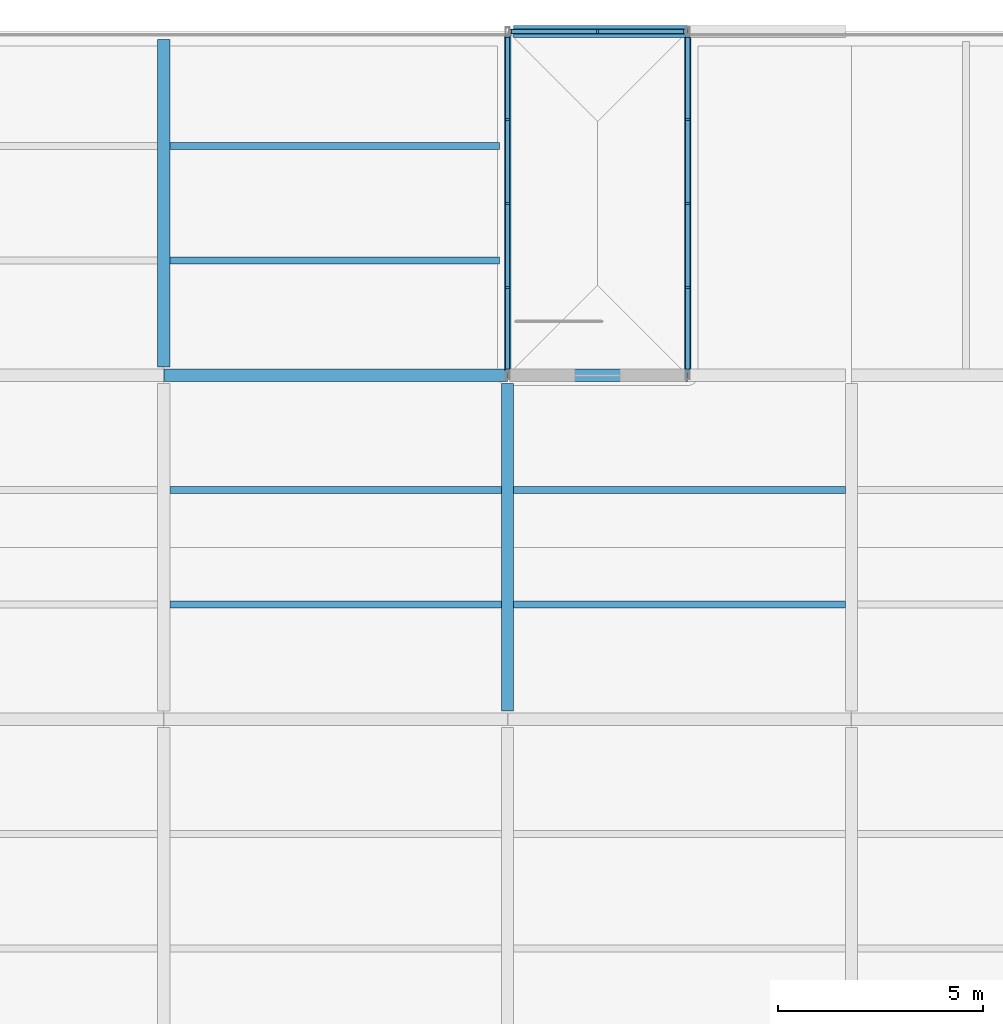
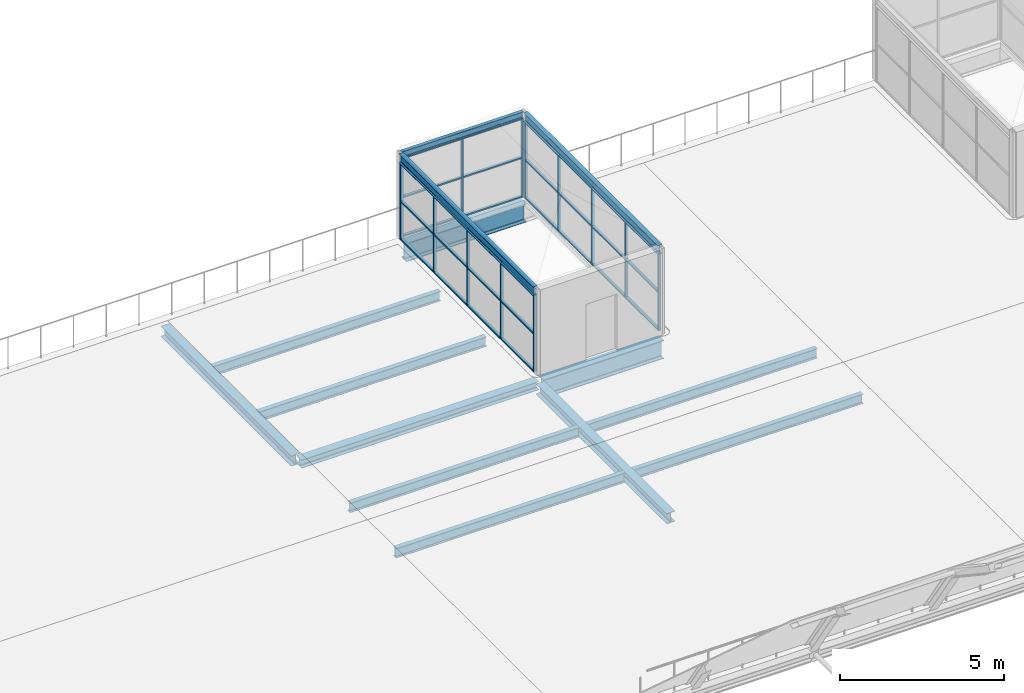
# One storey, part 21 of 58: 43 members, 14 beams, 3 elements without a shape of their own.
"""IFC4 building model written with IfcOpenShell, lengths in metres."""

import ifcopenshell
import ifcopenshell.guid

model = None  # the IFC model being written
_history = None  # IfcOwnerHistory: only IFC2X3 demands one
_inside = {}  # id of a spatial element -> (the spatial element, [elements in it])
_under = {}  # id of a project, library or spatial element -> (it, [spatial elements below it])
_declared = {}  # id of a project -> (the project, [libraries it declares])
_typed = {}  # id of a type object -> (the type object, [elements of that type])
_made_of = {}  # id of a material, layer set ... -> (it, [elements and type objects made of it])


def new_model(schema):
    """Start an empty IFC model of exactly this schema.

    Asked for "IFC4X3", IfcOpenShell would pick the latest addendum, in which some entities
    have other attributes; the version numbers below select the first issue.
    IFC2X3 requires an IfcOwnerHistory on every rooted entity: one is made here for all.
    """
    global model, _history
    if schema == "IFC4X3":
        model = ifcopenshell.file(schema_version=(4, 3, 0, 0))
    else:
        model = ifcopenshell.file(schema=schema)
    _inside.clear()
    _under.clear()
    _declared.clear()
    _typed.clear()
    _made_of.clear()
    _history = None
    if model.schema == "IFC2X3":
        org = make("IfcOrganization", Name="unknown")
        user = make(
            "IfcPersonAndOrganization",
            ThePerson=make("IfcPerson", FamilyName="unknown"),
            TheOrganization=org,
        )
        app = make(
            "IfcApplication",
            ApplicationDeveloper=org,
            Version="unknown",
            ApplicationFullName="unknown",
            ApplicationIdentifier="unknown",
        )
        _history = make(
            "IfcOwnerHistory",
            OwningUser=user,
            OwningApplication=app,
            ChangeAction="ADDED",
            CreationDate=0,
        )
    return model


def make(cls, **values):
    """One entity of the class cls with the attributes given. An attribute that is None is left unset."""
    return model.create_entity(
        cls, **{name: value for name, value in values.items() if value is not None}
    )


def rooted(cls, **values):
    """An entity with a GlobalId (a new one), such as an element, a storey or a relation."""
    return make(cls, GlobalId=ifcopenshell.guid.new(), OwnerHistory=_history, **values)


def si_unit(unit_type, name, prefix=None):
    """IfcSIUnit, for example si_unit("LENGTHUNIT", "METRE", prefix="MILLI")."""
    return make("IfcSIUnit", UnitType=unit_type, Prefix=prefix, Name=name)


def assignment(units):
    """IfcUnitAssignment: the units of a project."""
    return None if units is None else make("IfcUnitAssignment", Units=units)


def point(xyz):
    """IfcCartesianPoint."""
    return None if xyz is None else make("IfcCartesianPoint", Coordinates=xyz)


def direction(xyz):
    """IfcDirection."""
    return None if xyz is None else make("IfcDirection", DirectionRatios=xyz)


def frame(location, z_axis=None, x_axis=None):
    """IfcAxis2Placement3D, a coordinate frame: its origin and axes. An axis left out is left unset."""
    return make(
        "IfcAxis2Placement3D",
        Location=point(location),
        Axis=direction(z_axis),
        RefDirection=direction(x_axis),
    )


def frame_2d(location, x_axis=None):
    """IfcAxis2Placement2D, a coordinate frame in the plane: its origin and x axis."""
    return make(
        "IfcAxis2Placement2D", Location=point(location), RefDirection=direction(x_axis)
    )


def origin():
    """The frame at (0, 0, 0) with its axes left unset."""
    return frame((0.0, 0.0, 0.0))


def origin_2d():
    """The frame at (0, 0) in the plane with its x axis left unset."""
    return frame_2d((0.0, 0.0))


def place(relative_to, where):
    """IfcLocalPlacement: puts the frame where relative to a parent placement (None: the world)."""
    return make(
        "IfcLocalPlacement", PlacementRelTo=relative_to, RelativePlacement=where
    )


def context(
    kind, dimensions, precision=None, world=None, true_north=None, identifier=None
):
    """IfcGeometricRepresentationContext, for example the 3D "Model" context."""
    return make(
        "IfcGeometricRepresentationContext",
        ContextIdentifier=identifier,
        ContextType=kind,
        CoordinateSpaceDimension=dimensions,
        Precision=precision,
        WorldCoordinateSystem=world,
        TrueNorth=true_north,
    )


def subcontext(parent, identifier, kind, view, scale=None):
    """IfcGeometricRepresentationSubContext, for example "Body" below "Model"."""
    return make(
        "IfcGeometricRepresentationSubContext",
        ContextIdentifier=identifier,
        ContextType=kind,
        ParentContext=parent,
        TargetScale=scale,
        TargetView=view,
    )


def project(units=None, contexts=None):
    """IfcProject with its units and contexts."""
    return rooted(
        "IfcProject",
        Name="project",
        RepresentationContexts=contexts,
        UnitsInContext=assignment(units),
    )


def spatial(cls, under=None, at=None, **own):
    """A site, building, storey or space (cls), placed at a placement, below another one or the project."""
    s = rooted(cls, ObjectPlacement=at, **own)
    if under is not None:
        _under.setdefault(under.id(), (under, []))[1].append(s)
    return s


def profile(cls, at=None, kind="AREA", **sizes):
    """A parametric profile (cls). Its sizes go by their IFC names, for example OverallWidth=200.0."""
    return make(cls, ProfileType=kind, Position=at, **sizes)


def rectangle(**sizes):
    """IfcRectangleProfileDef."""
    return profile("IfcRectangleProfileDef", **sizes)


def i_section(**sizes):
    """IfcIShapeProfileDef."""
    return profile("IfcIShapeProfileDef", **sizes)


def extrude(swept, where, along, depth):
    """IfcExtrudedAreaSolid: the profile swept, set in the frame where, extruded along a direction by depth."""
    return make(
        "IfcExtrudedAreaSolid",
        SweptArea=swept,
        Position=where,
        ExtrudedDirection=direction(along),
        Depth=depth,
    )


def shape(context_of_items, identifier, shape_type, items):
    """IfcShapeRepresentation: the items that make up one representation, for example the "Body"."""
    return make(
        "IfcShapeRepresentation",
        ContextOfItems=context_of_items,
        RepresentationIdentifier=identifier,
        RepresentationType=shape_type,
        Items=items,
    )


def material(Name=None, Category=None):
    """IfcMaterial."""
    return make("IfcMaterial", Name=Name, Category=Category)


def layer(
    of_material, thickness, ventilated=None, Name=None, Category=None, Priority=None
):
    """IfcMaterialLayer: one layer of a wall or slab, of a material (None: an air gap)."""
    return make(
        "IfcMaterialLayer",
        Material=of_material,
        LayerThickness=thickness,
        IsVentilated=ventilated,
        Name=Name,
        Category=Category,
        Priority=Priority,
    )


def layer_set(layers, Name=None):
    """IfcMaterialLayerSet."""
    return make("IfcMaterialLayerSet", MaterialLayers=layers, LayerSetName=Name)


def material_profile(
    of_material, cross_section, Name=None, Category=None, Priority=None
):
    """IfcMaterialProfile: a cross section and its material."""
    return make(
        "IfcMaterialProfile",
        Name=Name,
        Material=of_material,
        Profile=cross_section,
        Priority=Priority,
        Category=Category,
    )


def profile_set(profiles, Name=None, composite=None):
    """IfcMaterialProfileSet."""
    return make(
        "IfcMaterialProfileSet",
        Name=Name,
        MaterialProfiles=profiles,
        CompositeProfile=composite,
    )


def made_of(thing, what):
    """Note that an element or type object is made of a material, layer set ...; save() writes the relation."""
    if what is not None:
        _made_of.setdefault(what.id(), (what, []))[1].append(thing)
    return thing


def type_object(cls, material=None, **own):
    """A type object (cls), such as IfcWallType, which elements share."""
    return made_of(rooted(cls, **own), material)


def element(
    cls,
    number,
    at=None,
    inside=None,
    cuts=None,
    type_object=None,
    material=None,
    context=None,
    identifier="Body",
    shape_type=None,
    held_by="IfcProductDefinitionShape",
    body=None,
    shapes=None,
    **own,
):
    """One element of the class cls, such as IfcWall. Its Tag is "e" and its number.

    at: its placement. inside: the storey or other place that contains it. cuts: it is an
    opening in that element (IfcRelVoidsElement). A single representation is given by context,
    identifier, shape_type and body (its items); several are given by shapes. held_by: the class
    of the entity that holds the representations. save() writes the other relations.
    """
    e = rooted(cls, Tag="e%d" % number, ObjectPlacement=at, **own)
    if body is not None:
        shapes = [shape(context, identifier, shape_type, body)]
    if shapes is not None:
        e.Representation = make(held_by, Representations=shapes)
    if inside is not None:
        _inside.setdefault(inside.id(), (inside, []))[1].append(e)
    if cuts is not None:
        rooted(
            "IfcRelVoidsElement", RelatingBuildingElement=cuts, RelatedOpeningElement=e
        )
    if type_object is not None:
        _typed.setdefault(type_object.id(), (type_object, []))[1].append(e)
    return made_of(e, material)


def aggregate(whole, parts):
    """IfcRelAggregates: a whole, such as a stair, and the parts it consists of."""
    return rooted("IfcRelAggregates", RelatingObject=whole, RelatedObjects=parts)


def save(model, path):
    """Write the relations noted so far, then the file.

    IfcRelAggregates (storeys below a building ...), IfcRelContainedInSpatialStructure (elements
    in a storey), IfcRelDefinesByType, IfcRelAssociatesMaterial and IfcRelDeclares: one each for
    every whole, place, type object, material and project.
    """
    for whole, parts in _under.values():
        aggregate(whole, parts)
    for where, things in _inside.values():
        rooted(
            "IfcRelContainedInSpatialStructure",
            RelatedElements=things,
            RelatingStructure=where,
        )
    for kind, things in _typed.values():
        rooted("IfcRelDefinesByType", RelatedObjects=things, RelatingType=kind)
    for what, things in _made_of.values():
        rooted("IfcRelAssociatesMaterial", RelatedObjects=things, RelatingMaterial=what)
    for by, libraries in _declared.values():
        rooted("IfcRelDeclares", RelatingContext=by, RelatedDefinitions=libraries)
    model.write(path)


model = new_model("IFC4")

# Units and contexts
model_context = context("Model", 3, precision=1e-05, world=origin(), true_north=direction((0.0, 1.0)))
body_context = subcontext(model_context, "Body", "Model", "MODEL_VIEW")
ifc_project = project(units=[si_unit("LENGTHUNIT", "METRE"), si_unit("AREAUNIT", "SQUARE_METRE"), si_unit("VOLUMEUNIT", "CUBIC_METRE"), si_unit("PLANEANGLEUNIT", "RADIAN"), si_unit("MASSUNIT", "GRAM", prefix="KILO")], contexts=[model_context])

# Site, building, storey
site_placement = place(None, origin())
site = spatial("IfcSite", under=ifc_project, at=site_placement, CompositionType="ELEMENT")
building_placement = place(site_placement, origin())
building = spatial("IfcBuilding", under=site, at=building_placement, Name="Galleria Vessillo Department Store", CompositionType="ELEMENT")
storey_placement = place(building_placement, frame((0.0, 0.0, 31.199951171875)))
storey = spatial("IfcBuildingStorey", under=building, at=storey_placement, Name="L06", CompositionType="ELEMENT", Elevation=31.199951171875)

# Curtain wall, members
ifc_material_1 = material(Name="Aluminium and glass curtain wall", Category="aluminium")
ifc_layer = layer(ifc_material_1, 0.10009765625)
ifc_layer_set = layer_set([ifc_layer], Name="Aluminium and glass curtain wall")
curtain_wall_type = type_object("IfcCurtainWallType", Name="Pavilion curtain wall CW5 2100 module", PredefinedType="NOTDEFINED", material=ifc_layer_set)
curtain_wall_1_placement = place(storey_placement, origin())
curtain_wall_1 = element("IfcCurtainWall", 1, at=curtain_wall_1_placement, inside=storey, type_object=curtain_wall_type, Name="Pavilion curtain wall CW5 2100 module PV-ST11-A", PredefinedType="NOTDEFINED")
ifc_material_2 = material(Name="Aluminium alloy 6063 T6", Category="aluminium")
ifc_material_profile_1 = material_profile(ifc_material_2, rectangle(XDim=0.10009765625, YDim=0.050048828125, at=origin_2d()), Name="AL 50x100")
ifc_profile_set_1 = profile_set([ifc_material_profile_1], Name="Aluminium alloy 6063 T6")
member_type_1 = type_object("IfcMemberType", Name="Aluminium mullion 50 x 100", PredefinedType="MULLION", material=ifc_profile_set_1)
member_1_placement = place(storey_placement, frame((58.800048828125, 54.72509765625, 0.0), z_axis=(0.0, 0.0, 1.0), x_axis=(-1.0, 0.0, 0.0)))
member_1 = element("IfcMember", 2, at=member_1_placement, type_object=member_type_1, Name="CW5 mullion 1", PredefinedType="MULLION", context=body_context, shape_type="SweptSolid", body=[
    extrude(rectangle(XDim=0.10009765625, YDim=0.050048828125, at=origin_2d()), origin(), (0.0, 0.0, 1.0), 2.8701171875),
])
member_2_placement = place(storey_placement, frame((58.800048828125, 56.75, 0.0), z_axis=(0.0, 0.0, 1.0), x_axis=(-1.0, 0.0, 0.0)))
member_2 = element("IfcMember", 3, at=member_2_placement, type_object=member_type_1, Name="CW5 mullion 2", PredefinedType="MULLION", context=body_context, shape_type="SweptSolid", body=[
    extrude(rectangle(XDim=0.10009765625, YDim=0.050048828125, at=origin_2d()), origin(), (0.0, 0.0, 1.0), 2.8701171875),
])
member_3_placement = place(storey_placement, frame((58.800048828125, 58.800048828125, 0.0), z_axis=(0.0, 0.0, 1.0), x_axis=(-1.0, 0.0, 0.0)))
member_3 = element("IfcMember", 4, at=member_3_placement, type_object=member_type_1, Name="CW5 mullion 3", PredefinedType="MULLION", context=body_context, shape_type="SweptSolid", body=[
    extrude(rectangle(XDim=0.10009765625, YDim=0.050048828125, at=origin_2d()), origin(), (0.0, 0.0, 1.0), 2.8701171875),
])
member_4_placement = place(storey_placement, frame((58.800048828125, 60.85009765625, 0.0), z_axis=(0.0, 0.0, 1.0), x_axis=(-1.0, 0.0, 0.0)))
member_4 = element("IfcMember", 5, at=member_4_placement, type_object=member_type_1, Name="CW5 mullion 4", PredefinedType="MULLION", context=body_context, shape_type="SweptSolid", body=[
    extrude(rectangle(XDim=0.10009765625, YDim=0.050048828125, at=origin_2d()), origin(), (0.0, 0.0, 1.0), 2.8701171875),
])
member_5_placement = place(storey_placement, frame((58.800048828125, 62.875, 0.0), z_axis=(0.0, 0.0, 1.0), x_axis=(-1.0, 0.0, 0.0)))
member_5 = element("IfcMember", 6, at=member_5_placement, type_object=member_type_1, Name="CW5 mullion 5", PredefinedType="MULLION", context=body_context, shape_type="SweptSolid", body=[
    extrude(rectangle(XDim=0.10009765625, YDim=0.050048828125, at=origin_2d()), origin(), (0.0, 0.0, 1.0), 2.8701171875),
])

curtain_wall_2_placement = place(storey_placement, origin())
curtain_wall_2 = element("IfcCurtainWall", 7, at=curtain_wall_2_placement, inside=storey, type_object=curtain_wall_type, Name="Pavilion curtain wall CW5 2100 module PV-ST11-B", PredefinedType="NOTDEFINED")
member_6_placement = place(storey_placement, frame((63.199951171875, 54.72509765625, 0.0), z_axis=(0.0, 0.0, 1.0), x_axis=(-1.0, 0.0, 0.0)))
member_6 = element("IfcMember", 8, at=member_6_placement, type_object=member_type_1, Name="CW5 mullion 1", PredefinedType="MULLION", context=body_context, shape_type="SweptSolid", body=[
    extrude(rectangle(XDim=0.10009765625, YDim=0.050048828125, at=origin_2d()), origin(), (0.0, 0.0, 1.0), 2.8701171875),
])
member_7_placement = place(storey_placement, frame((63.199951171875, 56.75, 0.0), z_axis=(0.0, 0.0, 1.0), x_axis=(-1.0, 0.0, 0.0)))
member_7 = element("IfcMember", 9, at=member_7_placement, type_object=member_type_1, Name="CW5 mullion 2", PredefinedType="MULLION", context=body_context, shape_type="SweptSolid", body=[
    extrude(rectangle(XDim=0.10009765625, YDim=0.050048828125, at=origin_2d()), origin(), (0.0, 0.0, 1.0), 2.8701171875),
])
member_8_placement = place(storey_placement, frame((63.199951171875, 58.800048828125, 0.0), z_axis=(0.0, 0.0, 1.0), x_axis=(-1.0, 0.0, 0.0)))
member_8 = element("IfcMember", 10, at=member_8_placement, type_object=member_type_1, Name="CW5 mullion 3", PredefinedType="MULLION", context=body_context, shape_type="SweptSolid", body=[
    extrude(rectangle(XDim=0.10009765625, YDim=0.050048828125, at=origin_2d()), origin(), (0.0, 0.0, 1.0), 2.8701171875),
])
member_9_placement = place(storey_placement, frame((63.199951171875, 60.85009765625, 0.0), z_axis=(0.0, 0.0, 1.0), x_axis=(-1.0, 0.0, 0.0)))
member_9 = element("IfcMember", 11, at=member_9_placement, type_object=member_type_1, Name="CW5 mullion 4", PredefinedType="MULLION", context=body_context, shape_type="SweptSolid", body=[
    extrude(rectangle(XDim=0.10009765625, YDim=0.050048828125, at=origin_2d()), origin(), (0.0, 0.0, 1.0), 2.8701171875),
])
member_10_placement = place(storey_placement, frame((63.199951171875, 62.875, 0.0), z_axis=(0.0, 0.0, 1.0), x_axis=(-1.0, 0.0, 0.0)))
member_10 = element("IfcMember", 12, at=member_10_placement, type_object=member_type_1, Name="CW5 mullion 5", PredefinedType="MULLION", context=body_context, shape_type="SweptSolid", body=[
    extrude(rectangle(XDim=0.10009765625, YDim=0.050048828125, at=origin_2d()), origin(), (0.0, 0.0, 1.0), 2.8701171875),
])

curtain_wall_3_placement = place(storey_placement, origin())
curtain_wall_3 = element("IfcCurtainWall", 13, at=curtain_wall_3_placement, inside=storey, type_object=curtain_wall_type, Name="Pavilion curtain wall CW5 2100 module PV-ST11-F", PredefinedType="NOTDEFINED")
member_11_placement = place(storey_placement, frame((58.875, 63.0, 0.0), z_axis=(0.0, 0.0, 1.0), x_axis=(0.0, 1.0, 0.0)))
member_11 = element("IfcMember", 14, at=member_11_placement, type_object=member_type_1, Name="CW5 mullion 1", PredefinedType="MULLION", context=body_context, shape_type="SweptSolid", body=[
    extrude(rectangle(XDim=0.10009765625, YDim=0.050048828125, at=origin_2d()), origin(), (0.0, 0.0, 1.0), 2.960205078125),
])
member_12_placement = place(storey_placement, frame((61.0, 63.0, 0.0), z_axis=(0.0, 0.0, 1.0), x_axis=(0.0, 1.0, 0.0)))
member_12 = element("IfcMember", 15, at=member_12_placement, type_object=member_type_1, Name="CW5 mullion 2", PredefinedType="MULLION", context=body_context, shape_type="SweptSolid", body=[
    extrude(rectangle(XDim=0.10009765625, YDim=0.050048828125, at=origin_2d()), origin(), (0.0, 0.0, 1.0), 2.960205078125),
])
member_13_placement = place(storey_placement, frame((63.125, 63.0, 0.0), z_axis=(0.0, 0.0, 1.0), x_axis=(0.0, 1.0, 0.0)))
member_13 = element("IfcMember", 16, at=member_13_placement, type_object=member_type_1, Name="CW5 mullion 3", PredefinedType="MULLION", context=body_context, shape_type="SweptSolid", body=[
    extrude(rectangle(XDim=0.10009765625, YDim=0.050048828125, at=origin_2d()), origin(), (0.0, 0.0, 1.0), 2.960205078125),
])

# Member
ifc_material_3 = material(Name="Aluminium alloy 6063 T6", Category="aluminium")
ifc_material_profile_2 = material_profile(ifc_material_3, rectangle(XDim=0.10009765625, YDim=0.050048828125, at=origin_2d()), Name="AL 50x100")
ifc_profile_set_2 = profile_set([ifc_material_profile_2], Name="Aluminium alloy 6063 T6")
member_type_2 = type_object("IfcMemberType", Name="Aluminium transom 50 x 100", PredefinedType="USERDEFINED", material=ifc_profile_set_2)
member_14_placement = place(storey_placement, frame((58.800048828125, 54.75, 0.025146484375), z_axis=(0.0, 1.0, 0.0), x_axis=(-1.0, 0.0, 0.0)))
member_14 = element("IfcMember", 17, at=member_14_placement, type_object=member_type_2, Name="CW5 transom 1.1", ObjectType="TRANSOM", PredefinedType="USERDEFINED", context=body_context, shape_type="SweptSolid", body=[
    extrude(rectangle(XDim=0.10009765625, YDim=0.050048828125, at=origin_2d()), origin(), (0.0, 0.0, 1.0), 1.97509765625),
])

member_15_placement = place(storey_placement, frame((58.800048828125, 54.75, 1.43505859375), z_axis=(0.0, 1.0, 0.0), x_axis=(-1.0, 0.0, 0.0)))
member_15 = element("IfcMember", 18, at=member_15_placement, type_object=member_type_2, Name="CW5 transom 1.2", ObjectType="TRANSOM", PredefinedType="USERDEFINED", context=body_context, shape_type="SweptSolid", body=[
    extrude(rectangle(XDim=0.10009765625, YDim=0.050048828125, at=origin_2d()), origin(), (0.0, 0.0, 1.0), 1.97509765625),
])

member_16_placement = place(storey_placement, frame((58.800048828125, 54.75, 2.84521484375), z_axis=(0.0, 1.0, 0.0), x_axis=(-1.0, 0.0, 0.0)))
member_16 = element("IfcMember", 19, at=member_16_placement, type_object=member_type_2, Name="CW5 transom 1.3", ObjectType="TRANSOM", PredefinedType="USERDEFINED", context=body_context, shape_type="SweptSolid", body=[
    extrude(rectangle(XDim=0.10009765625, YDim=0.050048828125, at=origin_2d()), origin(), (0.0, 0.0, 1.0), 1.97509765625),
])

member_17_placement = place(storey_placement, frame((58.800048828125, 56.775146484375, 0.025146484375), z_axis=(0.0, 1.0, 0.0), x_axis=(-1.0, 0.0, 0.0)))
member_17 = element("IfcMember", 20, at=member_17_placement, type_object=member_type_2, Name="CW5 transom 2.1", ObjectType="TRANSOM", PredefinedType="USERDEFINED", context=body_context, shape_type="SweptSolid", body=[
    extrude(rectangle(XDim=0.10009765625, YDim=0.050048828125, at=origin_2d()), origin(), (0.0, 0.0, 1.0), 2.0),
])

member_18_placement = place(storey_placement, frame((58.800048828125, 56.775146484375, 1.43505859375), z_axis=(0.0, 1.0, 0.0), x_axis=(-1.0, 0.0, 0.0)))
member_18 = element("IfcMember", 21, at=member_18_placement, type_object=member_type_2, Name="CW5 transom 2.2", ObjectType="TRANSOM", PredefinedType="USERDEFINED", context=body_context, shape_type="SweptSolid", body=[
    extrude(rectangle(XDim=0.10009765625, YDim=0.050048828125, at=origin_2d()), origin(), (0.0, 0.0, 1.0), 2.0),
])

member_19_placement = place(storey_placement, frame((58.800048828125, 56.775146484375, 2.84521484375), z_axis=(0.0, 1.0, 0.0), x_axis=(-1.0, 0.0, 0.0)))
member_19 = element("IfcMember", 22, at=member_19_placement, type_object=member_type_2, Name="CW5 transom 2.3", ObjectType="TRANSOM", PredefinedType="USERDEFINED", context=body_context, shape_type="SweptSolid", body=[
    extrude(rectangle(XDim=0.10009765625, YDim=0.050048828125, at=origin_2d()), origin(), (0.0, 0.0, 1.0), 2.0),
])

member_20_placement = place(storey_placement, frame((58.800048828125, 58.824951171875, 0.025146484375), z_axis=(0.0, 1.0, 0.0), x_axis=(-1.0, 0.0, 0.0)))
member_20 = element("IfcMember", 23, at=member_20_placement, type_object=member_type_2, Name="CW5 transom 3.1", ObjectType="TRANSOM", PredefinedType="USERDEFINED", context=body_context, shape_type="SweptSolid", body=[
    extrude(rectangle(XDim=0.10009765625, YDim=0.050048828125, at=origin_2d()), origin(), (0.0, 0.0, 1.0), 2.0),
])

member_21_placement = place(storey_placement, frame((58.800048828125, 58.824951171875, 1.43505859375), z_axis=(0.0, 1.0, 0.0), x_axis=(-1.0, 0.0, 0.0)))
member_21 = element("IfcMember", 24, at=member_21_placement, type_object=member_type_2, Name="CW5 transom 3.2", ObjectType="TRANSOM", PredefinedType="USERDEFINED", context=body_context, shape_type="SweptSolid", body=[
    extrude(rectangle(XDim=0.10009765625, YDim=0.050048828125, at=origin_2d()), origin(), (0.0, 0.0, 1.0), 2.0),
])

member_22_placement = place(storey_placement, frame((58.800048828125, 58.824951171875, 2.84521484375), z_axis=(0.0, 1.0, 0.0), x_axis=(-1.0, 0.0, 0.0)))
member_22 = element("IfcMember", 25, at=member_22_placement, type_object=member_type_2, Name="CW5 transom 3.3", ObjectType="TRANSOM", PredefinedType="USERDEFINED", context=body_context, shape_type="SweptSolid", body=[
    extrude(rectangle(XDim=0.10009765625, YDim=0.050048828125, at=origin_2d()), origin(), (0.0, 0.0, 1.0), 2.0),
])

member_23_placement = place(storey_placement, frame((58.800048828125, 60.875, 0.025146484375), z_axis=(0.0, 1.0, 0.0), x_axis=(-1.0, 0.0, 0.0)))
member_23 = element("IfcMember", 26, at=member_23_placement, type_object=member_type_2, Name="CW5 transom 4.1", ObjectType="TRANSOM", PredefinedType="USERDEFINED", context=body_context, shape_type="SweptSolid", body=[
    extrude(rectangle(XDim=0.10009765625, YDim=0.050048828125, at=origin_2d()), origin(), (0.0, 0.0, 1.0), 1.97509765625),
])

member_24_placement = place(storey_placement, frame((58.800048828125, 60.875, 1.43505859375), z_axis=(0.0, 1.0, 0.0), x_axis=(-1.0, 0.0, 0.0)))
member_24 = element("IfcMember", 27, at=member_24_placement, type_object=member_type_2, Name="CW5 transom 4.2", ObjectType="TRANSOM", PredefinedType="USERDEFINED", context=body_context, shape_type="SweptSolid", body=[
    extrude(rectangle(XDim=0.10009765625, YDim=0.050048828125, at=origin_2d()), origin(), (0.0, 0.0, 1.0), 1.97509765625),
])

member_25_placement = place(storey_placement, frame((58.800048828125, 60.875, 2.84521484375), z_axis=(0.0, 1.0, 0.0), x_axis=(-1.0, 0.0, 0.0)))
member_25 = element("IfcMember", 28, at=member_25_placement, type_object=member_type_2, Name="CW5 transom 4.3", ObjectType="TRANSOM", PredefinedType="USERDEFINED", context=body_context, shape_type="SweptSolid", body=[
    extrude(rectangle(XDim=0.10009765625, YDim=0.050048828125, at=origin_2d()), origin(), (0.0, 0.0, 1.0), 1.97509765625),
])

aggregate(curtain_wall_1, [member_1, member_2, member_3, member_4, member_5, member_14, member_15, member_16, member_17, member_18, member_19, member_20, member_21, member_22, member_23, member_24, member_25])

member_26_placement = place(storey_placement, frame((63.199951171875, 54.75, 0.025146484375), z_axis=(0.0, 1.0, 0.0), x_axis=(-1.0, 0.0, 0.0)))
member_26 = element("IfcMember", 29, at=member_26_placement, type_object=member_type_2, Name="CW5 transom 1.1", ObjectType="TRANSOM", PredefinedType="USERDEFINED", context=body_context, shape_type="SweptSolid", body=[
    extrude(rectangle(XDim=0.10009765625, YDim=0.050048828125, at=origin_2d()), origin(), (0.0, 0.0, 1.0), 1.97509765625),
])

member_27_placement = place(storey_placement, frame((63.199951171875, 54.75, 1.43505859375), z_axis=(0.0, 1.0, 0.0), x_axis=(-1.0, 0.0, 0.0)))
member_27 = element("IfcMember", 30, at=member_27_placement, type_object=member_type_2, Name="CW5 transom 1.2", ObjectType="TRANSOM", PredefinedType="USERDEFINED", context=body_context, shape_type="SweptSolid", body=[
    extrude(rectangle(XDim=0.10009765625, YDim=0.050048828125, at=origin_2d()), origin(), (0.0, 0.0, 1.0), 1.97509765625),
])

member_28_placement = place(storey_placement, frame((63.199951171875, 54.75, 2.84521484375), z_axis=(0.0, 1.0, 0.0), x_axis=(-1.0, 0.0, 0.0)))
member_28 = element("IfcMember", 31, at=member_28_placement, type_object=member_type_2, Name="CW5 transom 1.3", ObjectType="TRANSOM", PredefinedType="USERDEFINED", context=body_context, shape_type="SweptSolid", body=[
    extrude(rectangle(XDim=0.10009765625, YDim=0.050048828125, at=origin_2d()), origin(), (0.0, 0.0, 1.0), 1.97509765625),
])

member_29_placement = place(storey_placement, frame((63.199951171875, 56.775146484375, 0.025146484375), z_axis=(0.0, 1.0, 0.0), x_axis=(-1.0, 0.0, 0.0)))
member_29 = element("IfcMember", 32, at=member_29_placement, type_object=member_type_2, Name="CW5 transom 2.1", ObjectType="TRANSOM", PredefinedType="USERDEFINED", context=body_context, shape_type="SweptSolid", body=[
    extrude(rectangle(XDim=0.10009765625, YDim=0.050048828125, at=origin_2d()), origin(), (0.0, 0.0, 1.0), 2.0),
])

member_30_placement = place(storey_placement, frame((63.199951171875, 56.775146484375, 1.43505859375), z_axis=(0.0, 1.0, 0.0), x_axis=(-1.0, 0.0, 0.0)))
member_30 = element("IfcMember", 33, at=member_30_placement, type_object=member_type_2, Name="CW5 transom 2.2", ObjectType="TRANSOM", PredefinedType="USERDEFINED", context=body_context, shape_type="SweptSolid", body=[
    extrude(rectangle(XDim=0.10009765625, YDim=0.050048828125, at=origin_2d()), origin(), (0.0, 0.0, 1.0), 2.0),
])

member_31_placement = place(storey_placement, frame((63.199951171875, 56.775146484375, 2.84521484375), z_axis=(0.0, 1.0, 0.0), x_axis=(-1.0, 0.0, 0.0)))
member_31 = element("IfcMember", 34, at=member_31_placement, type_object=member_type_2, Name="CW5 transom 2.3", ObjectType="TRANSOM", PredefinedType="USERDEFINED", context=body_context, shape_type="SweptSolid", body=[
    extrude(rectangle(XDim=0.10009765625, YDim=0.050048828125, at=origin_2d()), origin(), (0.0, 0.0, 1.0), 2.0),
])

member_32_placement = place(storey_placement, frame((63.199951171875, 58.824951171875, 0.025146484375), z_axis=(0.0, 1.0, 0.0), x_axis=(-1.0, 0.0, 0.0)))
member_32 = element("IfcMember", 35, at=member_32_placement, type_object=member_type_2, Name="CW5 transom 3.1", ObjectType="TRANSOM", PredefinedType="USERDEFINED", context=body_context, shape_type="SweptSolid", body=[
    extrude(rectangle(XDim=0.10009765625, YDim=0.050048828125, at=origin_2d()), origin(), (0.0, 0.0, 1.0), 2.0),
])

member_33_placement = place(storey_placement, frame((63.199951171875, 58.824951171875, 1.43505859375), z_axis=(0.0, 1.0, 0.0), x_axis=(-1.0, 0.0, 0.0)))
member_33 = element("IfcMember", 36, at=member_33_placement, type_object=member_type_2, Name="CW5 transom 3.2", ObjectType="TRANSOM", PredefinedType="USERDEFINED", context=body_context, shape_type="SweptSolid", body=[
    extrude(rectangle(XDim=0.10009765625, YDim=0.050048828125, at=origin_2d()), origin(), (0.0, 0.0, 1.0), 2.0),
])

member_34_placement = place(storey_placement, frame((63.199951171875, 58.824951171875, 2.84521484375), z_axis=(0.0, 1.0, 0.0), x_axis=(-1.0, 0.0, 0.0)))
member_34 = element("IfcMember", 37, at=member_34_placement, type_object=member_type_2, Name="CW5 transom 3.3", ObjectType="TRANSOM", PredefinedType="USERDEFINED", context=body_context, shape_type="SweptSolid", body=[
    extrude(rectangle(XDim=0.10009765625, YDim=0.050048828125, at=origin_2d()), origin(), (0.0, 0.0, 1.0), 2.0),
])

member_35_placement = place(storey_placement, frame((63.199951171875, 60.875, 0.025146484375), z_axis=(0.0, 1.0, 0.0), x_axis=(-1.0, 0.0, 0.0)))
member_35 = element("IfcMember", 38, at=member_35_placement, type_object=member_type_2, Name="CW5 transom 4.1", ObjectType="TRANSOM", PredefinedType="USERDEFINED", context=body_context, shape_type="SweptSolid", body=[
    extrude(rectangle(XDim=0.10009765625, YDim=0.050048828125, at=origin_2d()), origin(), (0.0, 0.0, 1.0), 1.97509765625),
])

member_36_placement = place(storey_placement, frame((63.199951171875, 60.875, 1.43505859375), z_axis=(0.0, 1.0, 0.0), x_axis=(-1.0, 0.0, 0.0)))
member_36 = element("IfcMember", 39, at=member_36_placement, type_object=member_type_2, Name="CW5 transom 4.2", ObjectType="TRANSOM", PredefinedType="USERDEFINED", context=body_context, shape_type="SweptSolid", body=[
    extrude(rectangle(XDim=0.10009765625, YDim=0.050048828125, at=origin_2d()), origin(), (0.0, 0.0, 1.0), 1.97509765625),
])

member_37_placement = place(storey_placement, frame((63.199951171875, 60.875, 2.84521484375), z_axis=(0.0, 1.0, 0.0), x_axis=(-1.0, 0.0, 0.0)))
member_37 = element("IfcMember", 40, at=member_37_placement, type_object=member_type_2, Name="CW5 transom 4.3", ObjectType="TRANSOM", PredefinedType="USERDEFINED", context=body_context, shape_type="SweptSolid", body=[
    extrude(rectangle(XDim=0.10009765625, YDim=0.050048828125, at=origin_2d()), origin(), (0.0, 0.0, 1.0), 1.97509765625),
])

aggregate(curtain_wall_2, [member_6, member_7, member_8, member_9, member_10, member_26, member_27, member_28, member_29, member_30, member_31, member_32, member_33, member_34, member_35, member_36, member_37])

member_38_placement = place(storey_placement, frame((58.900146484375, 63.0, 0.025146484375), z_axis=(1.0, 0.0, 0.0), x_axis=(0.0, 1.0, 0.0)))
member_38 = element("IfcMember", 41, at=member_38_placement, type_object=member_type_2, Name="CW5 transom 1.1", ObjectType="TRANSOM", PredefinedType="USERDEFINED", context=body_context, shape_type="SweptSolid", body=[
    extrude(rectangle(XDim=0.10009765625, YDim=0.050048828125, at=origin_2d()), origin(), (0.0, 0.0, 1.0), 2.074951171875),
])

member_39_placement = place(storey_placement, frame((58.900146484375, 63.0, 1.480224609375), z_axis=(1.0, 0.0, 0.0), x_axis=(0.0, 1.0, 0.0)))
member_39 = element("IfcMember", 42, at=member_39_placement, type_object=member_type_2, Name="CW5 transom 1.2", ObjectType="TRANSOM", PredefinedType="USERDEFINED", context=body_context, shape_type="SweptSolid", body=[
    extrude(rectangle(XDim=0.10009765625, YDim=0.050048828125, at=origin_2d()), origin(), (0.0, 0.0, 1.0), 2.074951171875),
])

member_40_placement = place(storey_placement, frame((58.900146484375, 63.0, 2.935302734375), z_axis=(1.0, 0.0, 0.0), x_axis=(0.0, 1.0, 0.0)))
member_40 = element("IfcMember", 43, at=member_40_placement, type_object=member_type_2, Name="CW5 transom 1.3", ObjectType="TRANSOM", PredefinedType="USERDEFINED", context=body_context, shape_type="SweptSolid", body=[
    extrude(rectangle(XDim=0.10009765625, YDim=0.050048828125, at=origin_2d()), origin(), (0.0, 0.0, 1.0), 2.074951171875),
])

member_41_placement = place(storey_placement, frame((61.02490234375, 63.0, 0.025146484375), z_axis=(1.0, 0.0, 0.0), x_axis=(0.0, 1.0, 0.0)))
member_41 = element("IfcMember", 44, at=member_41_placement, type_object=member_type_2, Name="CW5 transom 2.1", ObjectType="TRANSOM", PredefinedType="USERDEFINED", context=body_context, shape_type="SweptSolid", body=[
    extrude(rectangle(XDim=0.10009765625, YDim=0.050048828125, at=origin_2d()), origin(), (0.0, 0.0, 1.0), 2.074951171875),
])

member_42_placement = place(storey_placement, frame((61.02490234375, 63.0, 1.480224609375), z_axis=(1.0, 0.0, 0.0), x_axis=(0.0, 1.0, 0.0)))
member_42 = element("IfcMember", 45, at=member_42_placement, type_object=member_type_2, Name="CW5 transom 2.2", ObjectType="TRANSOM", PredefinedType="USERDEFINED", context=body_context, shape_type="SweptSolid", body=[
    extrude(rectangle(XDim=0.10009765625, YDim=0.050048828125, at=origin_2d()), origin(), (0.0, 0.0, 1.0), 2.074951171875),
])

member_43_placement = place(storey_placement, frame((61.02490234375, 63.0, 2.935302734375), z_axis=(1.0, 0.0, 0.0), x_axis=(0.0, 1.0, 0.0)))
member_43 = element("IfcMember", 46, at=member_43_placement, type_object=member_type_2, Name="CW5 transom 2.3", ObjectType="TRANSOM", PredefinedType="USERDEFINED", context=body_context, shape_type="SweptSolid", body=[
    extrude(rectangle(XDim=0.10009765625, YDim=0.050048828125, at=origin_2d()), origin(), (0.0, 0.0, 1.0), 2.074951171875),
])

aggregate(curtain_wall_3, [member_11, member_12, member_13, member_38, member_39, member_40, member_41, member_42, member_43])

# Beams
ifc_material_4 = material(Name="Steel S355 J2", Category="steel")
ifc_material_profile_3 = material_profile(ifc_material_4, i_section(OverallWidth=0.300048828125, OverallDepth=0.389892578125, WebThickness=0.010986328125, FlangeThickness=0.01904296875, FilletRadius=0.027099609375, at=origin_2d()), Name="HEA 400")
ifc_profile_set_3 = profile_set([ifc_material_profile_3], Name="Steel S355 J2")
beam_type_1 = type_object("IfcBeamType", Name="Floor girder HEA 400", PredefinedType="BEAM", material=ifc_profile_set_3)
for number, where, z_axis, x_axis, name in (
    (47, (50.39990234375, 54.800048828125, -0.39501953125), (0.0, 1.0, 0.0), (-1.0, 0.0, 0.0), "S-BM-L06-GI-y50400-54800"),
    (48, (58.800048828125, 46.400146484375, -0.39501953125), (0.0, 1.0, 0.0), (-1.0, 0.0, 0.0), "S-BM-L06-GI-y58800-46400"),
):
    element("IfcBeam", number, at=place(storey_placement, frame(where, z_axis=z_axis, x_axis=x_axis)), inside=storey, type_object=beam_type_1, Name=name, PredefinedType="BEAM", context=body_context, shape_type="SweptSolid", body=[
        extrude(i_section(OverallWidth=0.300048828125, OverallDepth=0.389892578125, WebThickness=0.010986328125, FlangeThickness=0.01904296875, FilletRadius=0.027099609375, at=origin_2d()), origin(), (0.0, 0.0, 1.0), 7.999755859375),
    ])
ifc_material_5 = material(Name="Steel S355 J2", Category="steel")
ifc_material_profile_4 = material_profile(ifc_material_5, i_section(OverallWidth=0.169921875, OverallDepth=0.360107421875, WebThickness=0.008056640625, FlangeThickness=0.0126953125, FilletRadius=0.01806640625, at=origin_2d()), Name="IPE 360")
ifc_profile_set_4 = profile_set([ifc_material_profile_4], Name="Steel S355 J2")
beam_type_2 = type_object("IfcBeamType", Name="Floor joist IPE 360", PredefinedType="JOIST", material=ifc_profile_set_4)
for number, where, z_axis, x_axis, name in (
    (49, (50.550048828125, 49.0, -0.3798828125), (1.0, 0.0, 0.0), (0.0, 1.0, 0.0), "S-BM-L06-JO-x49000-50550"),
    (50, (50.550048828125, 51.800048828125, -0.3798828125), (1.0, 0.0, 0.0), (0.0, 1.0, 0.0), "S-BM-L06-JO-x51800-50550"),
):
    element("IfcBeam", number, at=place(storey_placement, frame(where, z_axis=z_axis, x_axis=x_axis)), inside=storey, type_object=beam_type_2, Name=name, PredefinedType="JOIST", context=body_context, shape_type="SweptSolid", body=[
        extrude(i_section(OverallWidth=0.169921875, OverallDepth=0.360107421875, WebThickness=0.008056640625, FlangeThickness=0.0126953125, FilletRadius=0.01806640625, at=origin_2d()), origin(), (0.0, 0.0, 1.0), 8.099853515625),
    ])
for number, where, z_axis, x_axis, name in (
    (51, (50.550048828125, 57.39990234375, -0.3798828125), (1.0, 0.0, 0.0), (0.0, 1.0, 0.0), "S-BM-L06-JO-x57400-50550"),
    (52, (50.550048828125, 60.199951171875, -0.3798828125), (1.0, 0.0, 0.0), (0.0, 1.0, 0.0), "S-BM-L06-JO-x60200-50550"),
):
    element("IfcBeam", number, at=place(storey_placement, frame(where, z_axis=z_axis, x_axis=x_axis)), inside=storey, type_object=beam_type_2, Name=name, PredefinedType="JOIST", context=body_context, shape_type="SweptSolid", body=[
        extrude(i_section(OverallWidth=0.169921875, OverallDepth=0.360107421875, WebThickness=0.008056640625, FlangeThickness=0.0126953125, FilletRadius=0.01806640625, at=origin_2d()), origin(), (0.0, 0.0, 1.0), 8.0498046875),
    ])
for number, where, z_axis, x_axis, name in (
    (53, (58.9501953125, 49.0, -0.3798828125), (1.0, 0.0, 0.0), (0.0, 1.0, 0.0), "S-BM-L06-JO-x49000-58950"),
    (54, (58.9501953125, 51.800048828125, -0.3798828125), (1.0, 0.0, 0.0), (0.0, 1.0, 0.0), "S-BM-L06-JO-x51800-58950"),
):
    element("IfcBeam", number, at=place(storey_placement, frame(where, z_axis=z_axis, x_axis=x_axis)), inside=storey, type_object=beam_type_2, Name=name, PredefinedType="JOIST", context=body_context, shape_type="SweptSolid", body=[
        extrude(i_section(OverallWidth=0.169921875, OverallDepth=0.360107421875, WebThickness=0.008056640625, FlangeThickness=0.0126953125, FilletRadius=0.01806640625, at=origin_2d()), origin(), (0.0, 0.0, 1.0), 8.099609375),
    ])
ifc_material_6 = material(Name="Steel S355 J2", Category="steel")
ifc_material_profile_5 = material_profile(ifc_material_6, i_section(OverallWidth=0.300048828125, OverallDepth=0.31005859375, WebThickness=0.009033203125, FlangeThickness=0.015380859375, FilletRadius=0.027099609375, at=origin_2d()), Name="HEA 320")
ifc_profile_set_5 = profile_set([ifc_material_profile_5], Name="Steel S355 J2")
beam_type_3 = type_object("IfcBeamType", Name="Floor tie girder HEA 320", PredefinedType="BEAM", material=ifc_profile_set_5)
beam_1_placement = place(storey_placement, frame((50.406982421875, 54.60009765625, -0.35498046875), z_axis=(1.0, 0.0, 0.0), x_axis=(0.0, 1.0, 0.0)))
element("IfcBeam", 55, at=beam_1_placement, inside=storey, type_object=beam_type_3, Name="S-BM-L06-TI-x54600-50407", PredefinedType="BEAM", context=body_context, shape_type="SweptSolid", body=[
    extrude(i_section(OverallWidth=0.300048828125, OverallDepth=0.31005859375, WebThickness=0.009033203125, FlangeThickness=0.015380859375, FilletRadius=0.027099609375, at=origin_2d()), origin(), (0.0, 0.0, 1.0), 8.38623046875),
])
ifc_material_7 = material(Name="Steel S355 J2", Category="steel")
ifc_material_profile_6 = material_profile(ifc_material_7, i_section(OverallWidth=0.300048828125, OverallDepth=0.68994140625, WebThickness=0.014404296875, FlangeThickness=0.027099609375, FilletRadius=0.027099609375, at=origin_2d()), Name="HEA 700")
ifc_profile_set_6 = profile_set([ifc_material_profile_6], Name="Steel S355 J2")
beam_type_4 = type_object("IfcBeamType", Name="Pavilion base beam HEA 700", PredefinedType="BEAM", material=ifc_profile_set_6)
for number, where, z_axis, x_axis, name in (
    (56, (58.9501953125, 63.0, -0.544921875), (1.0, 0.0, 0.0), (0.0, 1.0, 0.0), "S-BB-ST11-PE1"),
    (57, (58.9501953125, 54.60009765625, -0.544921875), (1.0, 0.0, 0.0), (0.0, 1.0, 0.0), "S-BB-ST11-DE1"),
):
    element("IfcBeam", number, at=place(storey_placement, frame(where, z_axis=z_axis, x_axis=x_axis)), inside=storey, type_object=beam_type_4, Name=name, PredefinedType="BEAM", context=body_context, shape_type="SweptSolid", body=[
        extrude(i_section(OverallWidth=0.300048828125, OverallDepth=0.68994140625, WebThickness=0.014404296875, FlangeThickness=0.027099609375, FilletRadius=0.027099609375, at=origin_2d()), origin(), (0.0, 0.0, 1.0), 4.24951171875),
    ])
ifc_material_8 = material(Name="Steel S355 J2", Category="steel")
ifc_material_profile_7 = material_profile(ifc_material_8, i_section(OverallWidth=0.1201171875, OverallDepth=0.239990234375, WebThickness=0.006103515625, FlangeThickness=0.009765625, FilletRadius=0.014892578125, at=origin_2d()), Name="IPE 240")
ifc_profile_set_7 = profile_set([ifc_material_profile_7], Name="Steel S355 J2")
beam_type_5 = type_object("IfcBeamType", Name="Roof end beam IPE 240", PredefinedType="BEAM", material=ifc_profile_set_7)
beam_2_placement = place(storey_placement, frame((58.85009765625, 63.0, 3.080078125), z_axis=(1.0, 0.0, 0.0), x_axis=(0.0, 1.0, 0.0)))
element("IfcBeam", 58, at=beam_2_placement, inside=storey, type_object=beam_type_5, Name="S-RB-ST11-P", PredefinedType="BEAM", context=body_context, shape_type="SweptSolid", body=[
    extrude(i_section(OverallWidth=0.1201171875, OverallDepth=0.239990234375, WebThickness=0.006103515625, FlangeThickness=0.009765625, FilletRadius=0.014892578125, at=origin_2d()), origin(), (0.0, 0.0, 1.0), 4.2998046875),
])
ifc_material_9 = material(Name="Steel S355 J2", Category="steel")
ifc_material_profile_8 = material_profile(ifc_material_9, i_section(OverallWidth=0.159912109375, OverallDepth=0.330078125, WebThickness=0.007568359375, FlangeThickness=0.011474609375, FilletRadius=0.01806640625, at=origin_2d()), Name="IPE 330")
ifc_profile_set_8 = profile_set([ifc_material_profile_8], Name="Steel S355 J2")
beam_type_6 = type_object("IfcBeamType", Name="Roof side beam IPE 330", PredefinedType="BEAM", material=ifc_profile_set_8)
for number, where, z_axis, x_axis, name in (
    (59, (58.800048828125, 62.89990234375, 3.03515625), (0.0, -1.0, 0.0), (1.0, 0.0, 0.0), "S-RB-ST11-W"),
    (60, (63.199951171875, 62.89990234375, 3.03515625), (0.0, -1.0, 0.0), (1.0, 0.0, 0.0), "S-RB-ST11-E"),
):
    element("IfcBeam", number, at=place(storey_placement, frame(where, z_axis=z_axis, x_axis=x_axis)), inside=storey, type_object=beam_type_6, Name=name, PredefinedType="BEAM", context=body_context, shape_type="SweptSolid", body=[
        extrude(i_section(OverallWidth=0.159912109375, OverallDepth=0.330078125, WebThickness=0.007568359375, FlangeThickness=0.011474609375, FilletRadius=0.01806640625, at=origin_2d()), origin(), (0.0, 0.0, 1.0), 8.19970703125),
    ])

save(model, "model.ifc")
